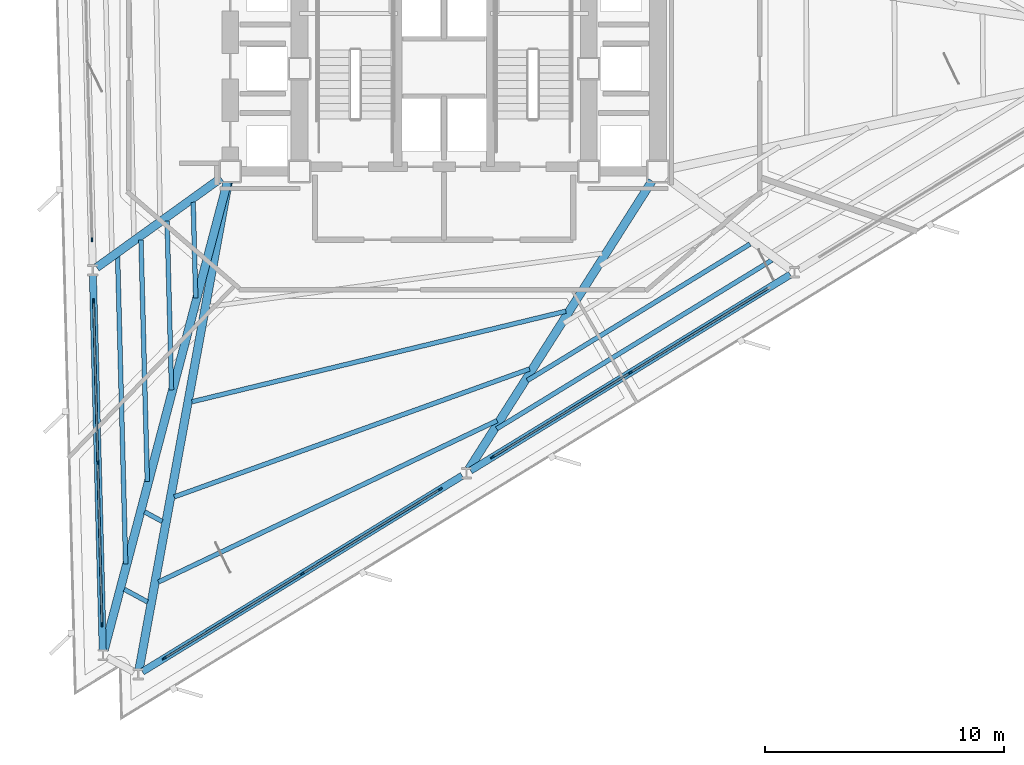
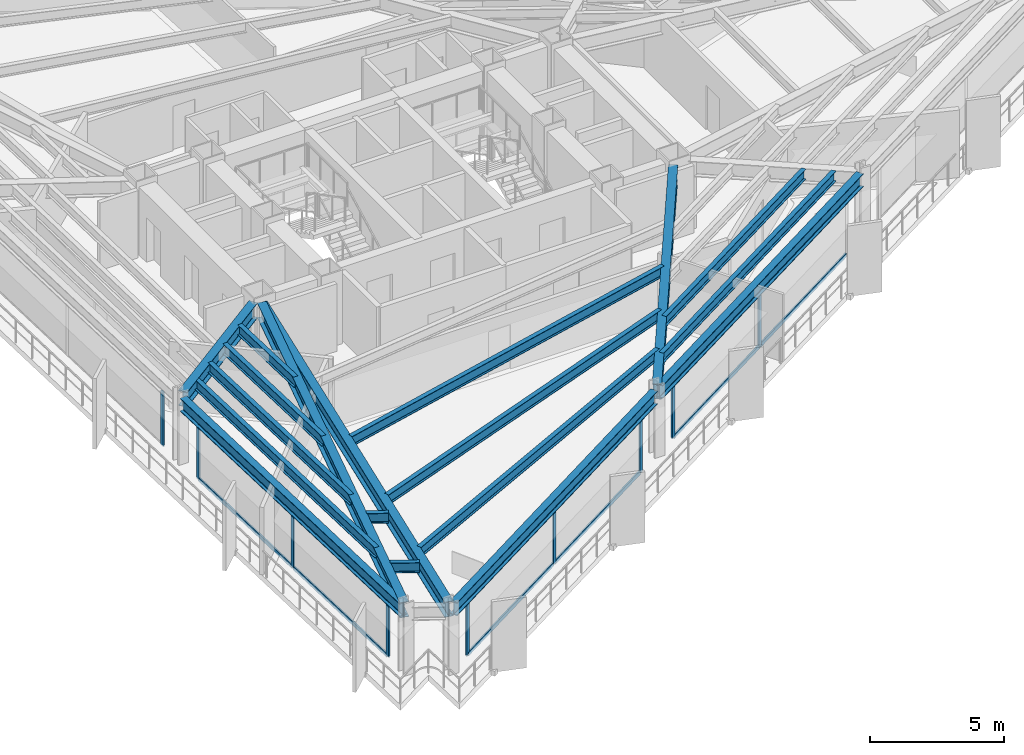
# One storey, part 2 of 14: 21 members, 18 beams, 4 elements without a shape of their own.
"""IFC4 building model written with IfcOpenShell, lengths in metres."""

from ifc_helpers import new_model, si_unit, direction, frame, origin, origin_2d, place, context, subcontext, project, spatial, rectangle, i_section, extrude, material, layer, layer_set, material_profile, profile_set, type_object, element, aggregate, save


model = new_model("IFC4")

# Units and contexts
model_context = context("Model", 3, precision=1e-05, world=origin(), true_north=direction((0.0, 1.0)))
body_context = subcontext(model_context, "Body", "Model", "MODEL_VIEW")
ifc_project = project(units=[si_unit("LENGTHUNIT", "METRE"), si_unit("AREAUNIT", "SQUARE_METRE"), si_unit("VOLUMEUNIT", "CUBIC_METRE"), si_unit("PLANEANGLEUNIT", "RADIAN"), si_unit("MASSUNIT", "GRAM", prefix="KILO")], contexts=[model_context])

# Site, building, storey
site_placement = place(None, origin())
site = spatial("IfcSite", under=ifc_project, at=site_placement, CompositionType="ELEMENT")
building_placement = place(site_placement, origin())
building = spatial("IfcBuilding", under=site, at=building_placement, Name="Rocaltana Carrier Exchange", CompositionType="ELEMENT")
storey_placement = place(building_placement, frame((0.0, 0.0, 39.0400390625)))
storey = spatial("IfcBuildingStorey", under=building, at=storey_placement, Name="L12", CompositionType="ELEMENT", Elevation=39.0400390625)

# Curtain wall, member
ifc_material_1 = material(Name="Aluminium 6063-T6", Category="aluminium")
ifc_layer = layer(ifc_material_1, 0.179931640625)
ifc_layer_set = layer_set([ifc_layer], Name="Aluminium 6063-T6")
curtain_wall_type = type_object("IfcCurtainWallType", Name="Sandstone Spandrel Unitised Curtain Wall CW-01", PredefinedType="NOTDEFINED", material=ifc_layer_set)
curtain_wall_1_placement = place(storey_placement, origin())
curtain_wall_1 = element("IfcCurtainWall", 1, at=curtain_wall_1_placement, inside=storey, type_object=curtain_wall_type, Name="L12 CW-01 Run CW-L12-F2S2", PredefinedType="NOTDEFINED")
ifc_material_2 = material(Name="Aluminium 6063-T6", Category="aluminium")
ifc_material_profile_1 = material_profile(ifc_material_2, rectangle(XDim=0.06494140625, YDim=0.179931640625, at=origin_2d()), Name="AL-65X180")
ifc_profile_set_1 = profile_set([ifc_material_profile_1], Name="Aluminium 6063-T6")
member_type_1 = type_object("IfcMemberType", Name="CW-01 Mullion AL-65X180", PredefinedType="MULLION", material=ifc_profile_set_1)
member_1_placement = place(storey_placement, frame((-14.733642578125, -7.155517578125, 0.0), z_axis=(0.0, 0.0, 1.0), x_axis=(0.99965733548, 0.026176547142, 0.0)))
member_1 = element("IfcMember", 2, at=member_1_placement, type_object=member_type_1, Name="CW-01 mullion 3", PredefinedType="MULLION", context=body_context, shape_type="SweptSolid", body=[
    extrude(rectangle(XDim=0.06494140625, YDim=0.179931640625, at=origin_2d()), origin(), (0.0, 0.0, 1.0), 2.47802734375),
])
aggregate(curtain_wall_1, [member_1])

# Curtain wall, members
curtain_wall_2_placement = place(storey_placement, origin())
curtain_wall_2 = element("IfcCurtainWall", 3, at=curtain_wall_2_placement, inside=storey, type_object=curtain_wall_type, Name="L12 CW-01 Run CW-L12-F2S3", PredefinedType="NOTDEFINED")
member_2_placement = place(storey_placement, frame((-14.66650390625, -9.7197265625, 0.0), z_axis=(0.0, 0.0, 1.0), x_axis=(0.999657143044, 0.026183895077, 0.0)))
member_2 = element("IfcMember", 4, at=member_2_placement, type_object=member_type_1, Name="CW-01 mullion 1", PredefinedType="MULLION", context=body_context, shape_type="SweptSolid", body=[
    extrude(rectangle(XDim=0.06494140625, YDim=0.179931640625, at=origin_2d()), origin(), (0.0, 0.0, 1.0), 2.47802734375),
])
member_3_placement = place(storey_placement, frame((-14.4892578125, -16.48486328125, 0.0), z_axis=(0.0, 0.0, 1.0), x_axis=(0.999657143044, 0.026183895077, 0.0)))
member_3 = element("IfcMember", 5, at=member_3_placement, type_object=member_type_1, Name="CW-01 mullion 2", PredefinedType="MULLION", context=body_context, shape_type="SweptSolid", body=[
    extrude(rectangle(XDim=0.06494140625, YDim=0.179931640625, at=origin_2d()), origin(), (0.0, 0.0, 1.0), 2.47802734375),
])
member_4_placement = place(storey_placement, frame((-14.31201171875, -23.25, 0.0), z_axis=(0.0, 0.0, 1.0), x_axis=(0.999657143044, 0.026183895077, 0.0)))
member_4 = element("IfcMember", 6, at=member_4_placement, type_object=member_type_1, Name="CW-01 mullion 3", PredefinedType="MULLION", context=body_context, shape_type="SweptSolid", body=[
    extrude(rectangle(XDim=0.06494140625, YDim=0.179931640625, at=origin_2d()), origin(), (0.0, 0.0, 1.0), 2.47802734375),
])

curtain_wall_3_placement = place(storey_placement, origin())
curtain_wall_3 = element("IfcCurtainWall", 7, at=curtain_wall_3_placement, inside=storey, type_object=curtain_wall_type, Name="L12 CW-01 Run CW-L12-F3S1", PredefinedType="NOTDEFINED")
member_5_placement = place(storey_placement, frame((-11.704345703125, -24.666015625, 0.0), z_axis=(0.0, 0.0, 1.0), x_axis=(-0.522505157925, 0.852636123996, 0.0)))
member_5 = element("IfcMember", 8, at=member_5_placement, type_object=member_type_1, Name="CW-01 mullion 1", PredefinedType="MULLION", context=body_context, shape_type="SweptSolid", body=[
    extrude(rectangle(XDim=0.06494140625, YDim=0.179931640625, at=origin_2d()), origin(), (0.0, 0.0, 1.0), 2.47802734375),
])
member_6_placement = place(storey_placement, frame((-5.93408203125, -21.130126953125, 0.0), z_axis=(0.0, 0.0, 1.0), x_axis=(-0.522505157925, 0.852636123996, 0.0)))
member_6 = element("IfcMember", 9, at=member_6_placement, type_object=member_type_1, Name="CW-01 mullion 2", PredefinedType="MULLION", context=body_context, shape_type="SweptSolid", body=[
    extrude(rectangle(XDim=0.06494140625, YDim=0.179931640625, at=origin_2d()), origin(), (0.0, 0.0, 1.0), 2.47802734375),
])
member_7_placement = place(storey_placement, frame((-0.163818359375, -17.593994140625, 0.0), z_axis=(0.0, 0.0, 1.0), x_axis=(-0.522505157925, 0.852636123996, 0.0)))
member_7 = element("IfcMember", 10, at=member_7_placement, type_object=member_type_1, Name="CW-01 mullion 3", PredefinedType="MULLION", context=body_context, shape_type="SweptSolid", body=[
    extrude(rectangle(XDim=0.06494140625, YDim=0.179931640625, at=origin_2d()), origin(), (0.0, 0.0, 1.0), 2.47802734375),
])

curtain_wall_4_placement = place(storey_placement, origin())
curtain_wall_4 = element("IfcCurtainWall", 11, at=curtain_wall_4_placement, inside=storey, type_object=curtain_wall_type, Name="L12 CW-01 Run CW-L12-F3S2", PredefinedType="NOTDEFINED")
member_8_placement = place(storey_placement, frame((2.023193359375, -16.25390625, 0.0), z_axis=(0.0, 0.0, 1.0), x_axis=(-0.522499812415, 0.852639399762, 0.0)))
member_8 = element("IfcMember", 12, at=member_8_placement, type_object=member_type_1, Name="CW-01 mullion 1", PredefinedType="MULLION", context=body_context, shape_type="SweptSolid", body=[
    extrude(rectangle(XDim=0.06494140625, YDim=0.179931640625, at=origin_2d()), origin(), (0.0, 0.0, 1.0), 2.47802734375),
])
member_9_placement = place(storey_placement, frame((7.79345703125, -12.7177734375, 0.0), z_axis=(0.0, 0.0, 1.0), x_axis=(-0.522499812415, 0.852639399762, 0.0)))
member_9 = element("IfcMember", 13, at=member_9_placement, type_object=member_type_1, Name="CW-01 mullion 2", PredefinedType="MULLION", context=body_context, shape_type="SweptSolid", body=[
    extrude(rectangle(XDim=0.06494140625, YDim=0.179931640625, at=origin_2d()), origin(), (0.0, 0.0, 1.0), 2.47802734375),
])

# Member
ifc_material_3 = material(Name="Aluminium 6063-T6", Category="aluminium")
ifc_material_profile_2 = material_profile(ifc_material_3, rectangle(XDim=0.06494140625, YDim=0.179931640625, at=origin_2d()), Name="AL-65X180")
ifc_profile_set_2 = profile_set([ifc_material_profile_2], Name="Aluminium 6063-T6")
member_type_2 = type_object("IfcMemberType", Name="CW-01 Transom AL-65X180", PredefinedType="USERDEFINED", material=ifc_profile_set_2)
member_10_placement = place(storey_placement, frame((-14.66552734375, -9.752197265625, 0.032470703125), z_axis=(0.026189818331, -0.999656987879, 0.0), x_axis=(0.999656987879, 0.026189818331, 0.0)))
member_10 = element("IfcMember", 14, at=member_10_placement, type_object=member_type_2, Name="CW-01 transom 1.1", ObjectType="TRANSOM", PredefinedType="USERDEFINED", context=body_context, shape_type="SweptSolid", body=[
    extrude(rectangle(XDim=0.06494140625, YDim=0.179931640625, at=origin_2d()), origin(), (0.0, 0.0, 1.0), 6.702392578125),
])

member_11_placement = place(storey_placement, frame((-14.66552734375, -9.752197265625, 2.445556640625), z_axis=(0.026189818331, -0.999656987879, 0.0), x_axis=(0.999656987879, 0.026189818331, 0.0)))
member_11 = element("IfcMember", 15, at=member_11_placement, type_object=member_type_2, Name="CW-01 transom 1.2", ObjectType="TRANSOM", PredefinedType="USERDEFINED", context=body_context, shape_type="SweptSolid", body=[
    extrude(rectangle(XDim=0.06494140625, YDim=0.179931640625, at=origin_2d()), origin(), (0.0, 0.0, 1.0), 6.702392578125),
])

member_12_placement = place(storey_placement, frame((-14.48828125, -16.517333984375, 0.032470703125), z_axis=(0.026153417925, -0.999657940863, 0.0), x_axis=(0.999657940863, 0.026153417925, 0.0)))
member_12 = element("IfcMember", 16, at=member_12_placement, type_object=member_type_2, Name="CW-01 transom 2.1", ObjectType="TRANSOM", PredefinedType="USERDEFINED", context=body_context, shape_type="SweptSolid", body=[
    extrude(rectangle(XDim=0.06494140625, YDim=0.179931640625, at=origin_2d()), origin(), (0.0, 0.0, 1.0), 6.702392578125),
])

member_13_placement = place(storey_placement, frame((-14.48828125, -16.517333984375, 2.445556640625), z_axis=(0.026153417925, -0.999657940863, 0.0), x_axis=(0.999657940863, 0.026153417925, 0.0)))
member_13 = element("IfcMember", 17, at=member_13_placement, type_object=member_type_2, Name="CW-01 transom 2.2", ObjectType="TRANSOM", PredefinedType="USERDEFINED", context=body_context, shape_type="SweptSolid", body=[
    extrude(rectangle(XDim=0.06494140625, YDim=0.179931640625, at=origin_2d()), origin(), (0.0, 0.0, 1.0), 6.702392578125),
])

aggregate(curtain_wall_2, [member_2, member_3, member_4, member_10, member_11, member_12, member_13])

member_14_placement = place(storey_placement, frame((-11.676513671875, -24.649169921875, 0.032470703125), z_axis=(0.85263109068, 0.522513371318, 0.0), x_axis=(-0.522513371318, 0.85263109068, 0.0)))
member_14 = element("IfcMember", 18, at=member_14_placement, type_object=member_type_2, Name="CW-01 transom 1.1", ObjectType="TRANSOM", PredefinedType="USERDEFINED", context=body_context, shape_type="SweptSolid", body=[
    extrude(rectangle(XDim=0.06494140625, YDim=0.179931640625, at=origin_2d()), origin(), (0.0, 0.0, 1.0), 6.70263671875),
])

member_15_placement = place(storey_placement, frame((-11.676513671875, -24.649169921875, 2.445556640625), z_axis=(0.85263109068, 0.522513371318, 0.0), x_axis=(-0.522513371318, 0.85263109068, 0.0)))
member_15 = element("IfcMember", 19, at=member_15_placement, type_object=member_type_2, Name="CW-01 transom 1.2", ObjectType="TRANSOM", PredefinedType="USERDEFINED", context=body_context, shape_type="SweptSolid", body=[
    extrude(rectangle(XDim=0.06494140625, YDim=0.179931640625, at=origin_2d()), origin(), (0.0, 0.0, 1.0), 6.70263671875),
])

member_16_placement = place(storey_placement, frame((-5.90625, -21.113037109375, 0.032470703125), z_axis=(0.85264731822, 0.522486890488, 0.0), x_axis=(-0.522486890488, 0.85264731822, 0.0)))
member_16 = element("IfcMember", 20, at=member_16_placement, type_object=member_type_2, Name="CW-01 transom 2.1", ObjectType="TRANSOM", PredefinedType="USERDEFINED", context=body_context, shape_type="SweptSolid", body=[
    extrude(rectangle(XDim=0.06494140625, YDim=0.179931640625, at=origin_2d()), origin(), (0.0, 0.0, 1.0), 6.702392578125),
])

member_17_placement = place(storey_placement, frame((-5.90625, -21.113037109375, 2.445556640625), z_axis=(0.85264731822, 0.522486890488, 0.0), x_axis=(-0.522486890488, 0.85264731822, 0.0)))
member_17 = element("IfcMember", 21, at=member_17_placement, type_object=member_type_2, Name="CW-01 transom 2.2", ObjectType="TRANSOM", PredefinedType="USERDEFINED", context=body_context, shape_type="SweptSolid", body=[
    extrude(rectangle(XDim=0.06494140625, YDim=0.179931640625, at=origin_2d()), origin(), (0.0, 0.0, 1.0), 6.702392578125),
])

aggregate(curtain_wall_3, [member_5, member_6, member_7, member_14, member_15, member_16, member_17])

member_18_placement = place(storey_placement, frame((2.051025390625, -16.23681640625, 0.032470703125), z_axis=(0.852637373876, 0.522503118335, 0.0), x_axis=(-0.522503118335, 0.852637373876, 0.0)))
member_18 = element("IfcMember", 22, at=member_18_placement, type_object=member_type_2, Name="CW-01 transom 1.1", ObjectType="TRANSOM", PredefinedType="USERDEFINED", context=body_context, shape_type="SweptSolid", body=[
    extrude(rectangle(XDim=0.06494140625, YDim=0.179931640625, at=origin_2d()), origin(), (0.0, 0.0, 1.0), 6.7021484375),
])

member_19_placement = place(storey_placement, frame((2.051025390625, -16.23681640625, 2.445556640625), z_axis=(0.852637373876, 0.522503118335, 0.0), x_axis=(-0.522503118335, 0.852637373876, 0.0)))
member_19 = element("IfcMember", 23, at=member_19_placement, type_object=member_type_2, Name="CW-01 transom 1.2", ObjectType="TRANSOM", PredefinedType="USERDEFINED", context=body_context, shape_type="SweptSolid", body=[
    extrude(rectangle(XDim=0.06494140625, YDim=0.179931640625, at=origin_2d()), origin(), (0.0, 0.0, 1.0), 6.7021484375),
])

member_20_placement = place(storey_placement, frame((7.821044921875, -12.700927734375, 0.032470703125), z_axis=(0.85263109068, 0.522513371318, 0.0), x_axis=(-0.522513371318, 0.85263109068, 0.0)))
member_20 = element("IfcMember", 24, at=member_20_placement, type_object=member_type_2, Name="CW-01 transom 2.1", ObjectType="TRANSOM", PredefinedType="USERDEFINED", context=body_context, shape_type="SweptSolid", body=[
    extrude(rectangle(XDim=0.06494140625, YDim=0.179931640625, at=origin_2d()), origin(), (0.0, 0.0, 1.0), 6.70263671875),
])

member_21_placement = place(storey_placement, frame((7.821044921875, -12.700927734375, 2.445556640625), z_axis=(0.85263109068, 0.522513371318, 0.0), x_axis=(-0.522513371318, 0.85263109068, 0.0)))
member_21 = element("IfcMember", 25, at=member_21_placement, type_object=member_type_2, Name="CW-01 transom 2.2", ObjectType="TRANSOM", PredefinedType="USERDEFINED", context=body_context, shape_type="SweptSolid", body=[
    extrude(rectangle(XDim=0.06494140625, YDim=0.179931640625, at=origin_2d()), origin(), (0.0, 0.0, 1.0), 6.70263671875),
])

aggregate(curtain_wall_4, [member_8, member_9, member_18, member_19, member_20, member_21])

# Beams
ifc_material_4 = material(Name="Steel S355", Category="steel")
ifc_material_profile_3 = material_profile(ifc_material_4, i_section(OverallWidth=0.193115234375, OverallDepth=0.466064453125, WebThickness=0.011474609375, FlangeThickness=0.01904296875, FilletRadius=0.013916015625, at=origin_2d()), Name="W18X65")
ifc_profile_set_3 = profile_set([ifc_material_profile_3], Name="Steel S355")
beam_type_1 = type_object("IfcBeamType", Name="Floor Joist W18X65", PredefinedType="JOIST", material=ifc_profile_set_3)
beam_1_placement = place(storey_placement, frame((-10.498046875, -5.588623046875, 2.864990234375), z_axis=(0.02615756085, -0.999657832466, 0.0), x_axis=(0.999657832466, 0.02615756085, 0.0)))
element("IfcBeam", 26, at=beam_1_placement, inside=storey, type_object=beam_type_1, Name="FJ-L12-07-1", PredefinedType="JOIST", context=body_context, shape_type="SweptSolid", body=[
    extrude(i_section(OverallWidth=0.193115234375, OverallDepth=0.466064453125, WebThickness=0.011474609375, FlangeThickness=0.01904296875, FilletRadius=0.013916015625, at=origin_2d()), origin(), (0.0, 0.0, 1.0), 4.004150390625),
])
beam_2_placement = place(storey_placement, frame((-11.590576171875, -6.374755859375, 2.864990234375), z_axis=(0.026201236861, -0.999656688662, 0.0), x_axis=(0.999656688662, 0.026201236861, 0.0)))
element("IfcBeam", 27, at=beam_2_placement, inside=storey, type_object=beam_type_1, Name="FJ-L12-07-2", PredefinedType="JOIST", context=body_context, shape_type="SweptSolid", body=[
    extrude(i_section(OverallWidth=0.193115234375, OverallDepth=0.466064453125, WebThickness=0.011474609375, FlangeThickness=0.01904296875, FilletRadius=0.013916015625, at=origin_2d()), origin(), (0.0, 0.0, 1.0), 7.06298828125),
])
beam_3_placement = place(storey_placement, frame((-12.68310546875, -7.160888671875, 2.864990234375), z_axis=(0.026193779282, -0.999656884099, 0.0), x_axis=(0.999656884099, 0.026193779282, 0.0)))
element("IfcBeam", 28, at=beam_3_placement, inside=storey, type_object=beam_type_1, Name="FJ-L12-07-3", PredefinedType="JOIST", context=body_context, shape_type="SweptSolid", body=[
    extrude(i_section(OverallWidth=0.193115234375, OverallDepth=0.466064453125, WebThickness=0.011474609375, FlangeThickness=0.01904296875, FilletRadius=0.013916015625, at=origin_2d()), origin(), (0.0, 0.0, 1.0), 10.1220703125),
])
beam_4_placement = place(storey_placement, frame((-13.660400390625, -7.864501953125, 2.864990234375), z_axis=(0.026162886521, -0.999657693097, 0.0), x_axis=(0.999657693097, 0.026162886521, 0.0)))
element("IfcBeam", 29, at=beam_4_placement, inside=storey, type_object=beam_type_1, Name="FJ-L12-07-4", PredefinedType="JOIST", context=body_context, shape_type="SweptSolid", body=[
    extrude(i_section(OverallWidth=0.193115234375, OverallDepth=0.466064453125, WebThickness=0.011474609375, FlangeThickness=0.01904296875, FilletRadius=0.013916015625, at=origin_2d()), origin(), (0.0, 0.0, 1.0), 12.85888671875),
])
beam_5_placement = place(storey_placement, frame((-12.529296875, -18.54443359375, 2.864990234375), z_axis=(0.878797482276, -0.477194913159, 0.0), x_axis=(0.477194913159, 0.878797482276, 0.0)))
element("IfcBeam", 30, at=beam_5_placement, inside=storey, type_object=beam_type_1, Name="FJ-L12-08-3", PredefinedType="JOIST", context=body_context, shape_type="SweptSolid", body=[
    extrude(i_section(OverallWidth=0.193115234375, OverallDepth=0.466064453125, WebThickness=0.011474609375, FlangeThickness=0.01904296875, FilletRadius=0.013916015625, at=origin_2d()), origin(), (0.0, 0.0, 1.0), 0.83642578125),
])
beam_6_placement = place(storey_placement, frame((-13.3818359375, -21.781494140625, 2.864990234375), z_axis=(0.878771440965, -0.477242867462, 0.0), x_axis=(0.477242867462, 0.878771440965, 0.0)))
element("IfcBeam", 31, at=beam_6_placement, inside=storey, type_object=beam_type_1, Name="FJ-L12-08-4", PredefinedType="JOIST", context=body_context, shape_type="SweptSolid", body=[
    extrude(i_section(OverallWidth=0.193115234375, OverallDepth=0.466064453125, WebThickness=0.011474609375, FlangeThickness=0.01904296875, FilletRadius=0.013916015625, at=origin_2d()), origin(), (0.0, 0.0, 1.0), 1.10595703125),
])
beam_7_placement = place(storey_placement, frame((-10.55322265625, -13.936279296875, 2.864990234375), z_axis=(0.971913306863, 0.235339167889, 0.0), x_axis=(-0.235339167889, 0.971913306863, 0.0)))
element("IfcBeam", 32, at=beam_7_placement, inside=storey, type_object=beam_type_1, Name="FJ-L12-09-2", PredefinedType="JOIST", context=body_context, shape_type="SweptSolid", body=[
    extrude(i_section(OverallWidth=0.193115234375, OverallDepth=0.466064453125, WebThickness=0.011474609375, FlangeThickness=0.01904296875, FilletRadius=0.013916015625, at=origin_2d()), origin(), (0.0, 0.0, 1.0), 16.099365234375),
])
beam_8_placement = place(storey_placement, frame((-11.289794921875, -17.915283203125, 2.864990234375), z_axis=(0.940885835943, 0.338723845813, 0.0), x_axis=(-0.338723845813, 0.940885835943, 0.0)))
element("IfcBeam", 33, at=beam_8_placement, inside=storey, type_object=beam_type_1, Name="FJ-L12-09-3", PredefinedType="JOIST", context=body_context, shape_type="SweptSolid", body=[
    extrude(i_section(OverallWidth=0.193115234375, OverallDepth=0.466064453125, WebThickness=0.011474609375, FlangeThickness=0.01904296875, FilletRadius=0.013916015625, at=origin_2d()), origin(), (0.0, 0.0, 1.0), 15.799072265625),
])
beam_9_placement = place(storey_placement, frame((-11.950439453125, -21.475830078125, 2.864990234375), z_axis=(0.902777117636, 0.430108679141, 0.0), x_axis=(-0.430108679141, 0.902777117636, 0.0)))
element("IfcBeam", 34, at=beam_9_placement, inside=storey, type_object=beam_type_1, Name="FJ-L12-09-4", PredefinedType="JOIST", context=body_context, shape_type="SweptSolid", body=[
    extrude(i_section(OverallWidth=0.193115234375, OverallDepth=0.466064453125, WebThickness=0.011474609375, FlangeThickness=0.01904296875, FilletRadius=0.013916015625, at=origin_2d()), origin(), (0.0, 0.0, 1.0), 15.69482421875),
])
beam_10_placement = place(storey_placement, frame((3.48193359375, -13.047119140625, 2.864990234375), z_axis=(0.852647168541, 0.52248713475, 0.0), x_axis=(-0.52248713475, 0.852647168541, 0.0)))
element("IfcBeam", 35, at=beam_10_placement, inside=storey, type_object=beam_type_1, Name="FJ-L12-10-3", PredefinedType="JOIST", context=body_context, shape_type="SweptSolid", body=[
    extrude(i_section(OverallWidth=0.193115234375, OverallDepth=0.466064453125, WebThickness=0.011474609375, FlangeThickness=0.01904296875, FilletRadius=0.013916015625, at=origin_2d()), origin(), (0.0, 0.0, 1.0), 10.927001953125),
])
beam_11_placement = place(storey_placement, frame((2.19873046875, -15.06689453125, 2.864990234375), z_axis=(0.852643866126, 0.522492523926, 0.0), x_axis=(-0.522492523926, 0.852643866126, 0.0)))
element("IfcBeam", 36, at=beam_11_placement, inside=storey, type_object=beam_type_1, Name="FJ-L12-10-4", PredefinedType="JOIST", context=body_context, shape_type="SweptSolid", body=[
    extrude(i_section(OverallWidth=0.193115234375, OverallDepth=0.466064453125, WebThickness=0.011474609375, FlangeThickness=0.01904296875, FilletRadius=0.013916015625, at=origin_2d()), origin(), (0.0, 0.0, 1.0), 13.5029296875),
])
ifc_material_5 = material(Name="Steel S355", Category="steel")
ifc_material_profile_4 = material_profile(ifc_material_5, i_section(OverallWidth=0.35498046875, OverallDepth=0.695068359375, WebThickness=0.015380859375, FlangeThickness=0.02490234375, FilletRadius=0.01806640625, at=origin_2d()), Name="W27X146")
ifc_profile_set_4 = profile_set([ifc_material_profile_4], Name="Steel S355")
beam_type_2 = type_object("IfcBeamType", Name="Radial Girder W27X146", PredefinedType="BEAM", material=ifc_profile_set_4)
beam_12_placement = place(storey_placement, frame((-9.3291015625, -4.57275390625, 2.75048828125), z_axis=(-0.811680897727, -0.584101121609, 0.0), x_axis=(0.584101121609, -0.811680897727, 0.0)))
element("IfcBeam", 37, at=beam_12_placement, inside=storey, type_object=beam_type_2, Name="RG-L12-07", PredefinedType="BEAM", context=body_context, shape_type="SweptSolid", body=[
    extrude(i_section(OverallWidth=0.35498046875, OverallDepth=0.695068359375, WebThickness=0.015380859375, FlangeThickness=0.02490234375, FilletRadius=0.01806640625, at=origin_2d()), origin(), (0.0, 0.0, 1.0), 6.4130859375),
])
beam_13_placement = place(storey_placement, frame((-9.06884765625, -4.751708984375, 2.75048828125), z_axis=(-0.254688527576, -0.967023140323, 0.0), x_axis=(0.967023140323, -0.254688527576, 0.0)))
element("IfcBeam", 38, at=beam_13_placement, inside=storey, type_object=beam_type_2, Name="RG-L12-08", PredefinedType="BEAM", context=body_context, shape_type="SweptSolid", body=[
    extrude(i_section(OverallWidth=0.35498046875, OverallDepth=0.695068359375, WebThickness=0.015380859375, FlangeThickness=0.02490234375, FilletRadius=0.01806640625, at=origin_2d()), origin(), (0.0, 0.0, 1.0), 20.2509765625),
])
beam_14_placement = place(storey_placement, frame((-9.033935546875, -4.759521484375, 2.75048828125), z_axis=(-0.179928749917, -0.983679645491, 0.0), x_axis=(0.983679645491, -0.179928749917, 0.0)))
element("IfcBeam", 39, at=beam_14_placement, inside=storey, type_object=beam_type_2, Name="RG-L12-09", PredefinedType="BEAM", context=body_context, shape_type="SweptSolid", body=[
    extrude(i_section(OverallWidth=0.35498046875, OverallDepth=0.695068359375, WebThickness=0.015380859375, FlangeThickness=0.02490234375, FilletRadius=0.01806640625, at=origin_2d()), origin(), (0.0, 0.0, 1.0), 20.714111328125),
])
beam_15_placement = place(storey_placement, frame((8.69970703125, -4.694091796875, 2.75048828125), z_axis=(-0.536258289546, -0.844053936009, 0.0), x_axis=(0.844053936009, -0.536258289546, 0.0)))
element("IfcBeam", 40, at=beam_15_placement, inside=storey, type_object=beam_type_2, Name="RG-L12-10", PredefinedType="BEAM", context=body_context, shape_type="SweptSolid", body=[
    extrude(i_section(OverallWidth=0.35498046875, OverallDepth=0.695068359375, WebThickness=0.015380859375, FlangeThickness=0.02490234375, FilletRadius=0.01806640625, at=origin_2d()), origin(), (0.0, 0.0, 1.0), 14.285400390625),
])
ifc_material_6 = material(Name="Steel S355", Category="steel")
ifc_material_profile_5 = material_profile(ifc_material_6, i_section(OverallWidth=0.300048828125, OverallDepth=0.60009765625, WebThickness=0.015380859375, FlangeThickness=0.030029296875, FilletRadius=0.027099609375, at=origin_2d()), Name="HEB600")
ifc_profile_set_5 = profile_set([ifc_material_profile_5], Name="Steel S355")
beam_type_3 = type_object("IfcBeamType", Name="Spandrel Edge Beam HEB600", PredefinedType="SPANDREL", material=ifc_profile_set_5)
beam_16_placement = place(storey_placement, frame((-14.694580078125, -8.6416015625, 2.7978515625), z_axis=(0.026184348618, -0.999657131164, 0.0), x_axis=(0.999657131164, 0.026184348618, 0.0)))
element("IfcBeam", 41, at=beam_16_placement, inside=storey, type_object=beam_type_3, Name="SP-L12-07", PredefinedType="SPANDREL", context=body_context, shape_type="SweptSolid", body=[
    extrude(i_section(OverallWidth=0.300048828125, OverallDepth=0.60009765625, WebThickness=0.015380859375, FlangeThickness=0.030029296875, FilletRadius=0.027099609375, at=origin_2d()), origin(), (0.0, 0.0, 1.0), 15.692138671875),
])
beam_17_placement = place(storey_placement, frame((-12.623779296875, -25.2294921875, 2.7978515625), z_axis=(0.852642393394, 0.522494927236, 0.0), x_axis=(-0.522494927236, 0.852642393394, 0.0)))
element("IfcBeam", 42, at=beam_17_placement, inside=storey, type_object=beam_type_3, Name="SP-L12-09", PredefinedType="SPANDREL", context=body_context, shape_type="SweptSolid", body=[
    extrude(i_section(OverallWidth=0.300048828125, OverallDepth=0.60009765625, WebThickness=0.015380859375, FlangeThickness=0.030029296875, FilletRadius=0.027099609375, at=origin_2d()), origin(), (0.0, 0.0, 1.0), 15.69189453125),
])
beam_18_placement = place(storey_placement, frame((1.103515625, -16.8173828125, 2.7978515625), z_axis=(0.852646640744, 0.522487996061, 0.0), x_axis=(-0.522487996061, 0.852646640744, 0.0)))
element("IfcBeam", 43, at=beam_18_placement, inside=storey, type_object=beam_type_3, Name="SP-L12-10", PredefinedType="SPANDREL", context=body_context, shape_type="SweptSolid", body=[
    extrude(i_section(OverallWidth=0.300048828125, OverallDepth=0.60009765625, WebThickness=0.015380859375, FlangeThickness=0.030029296875, FilletRadius=0.027099609375, at=origin_2d()), origin(), (0.0, 0.0, 1.0), 15.692138671875),
])

save(model, "model.ifc")
